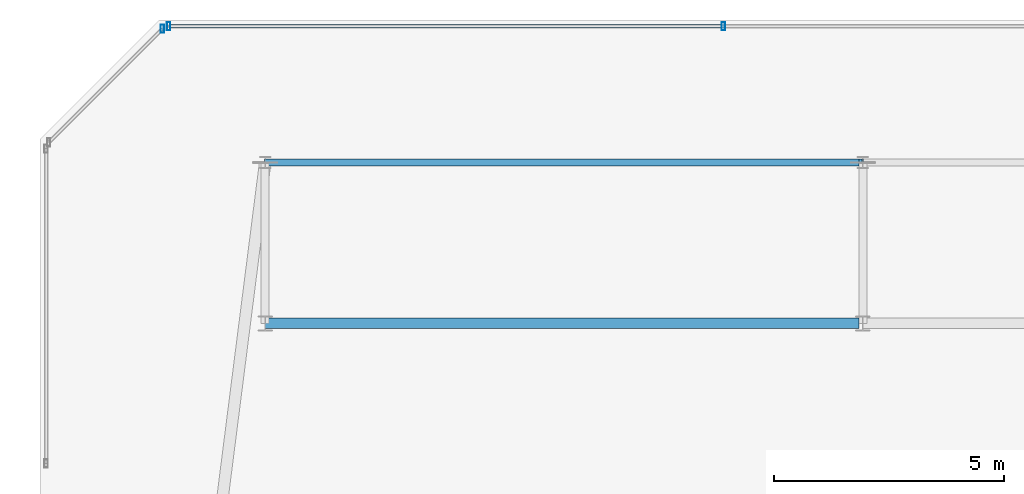
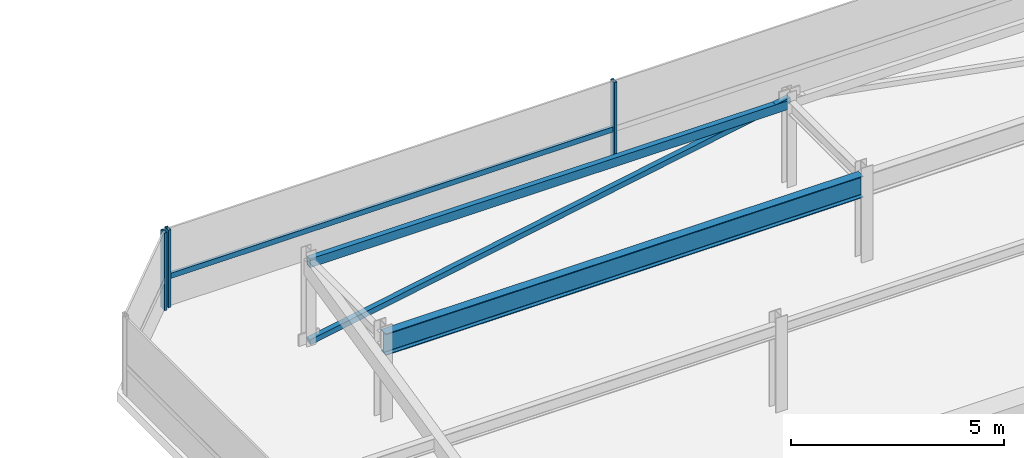
# One storey, part 35 of 44: 5 members, 2 beams, 2 elements without a shape of their own.
"""IFC4 building model written with IfcOpenShell, lengths in metres."""

import ifcopenshell
import ifcopenshell.guid

model = None  # the IFC model being written
_history = None  # IfcOwnerHistory: only IFC2X3 demands one
_inside = {}  # id of a spatial element -> (the spatial element, [elements in it])
_under = {}  # id of a project, library or spatial element -> (it, [spatial elements below it])
_declared = {}  # id of a project -> (the project, [libraries it declares])
_typed = {}  # id of a type object -> (the type object, [elements of that type])
_made_of = {}  # id of a material, layer set ... -> (it, [elements and type objects made of it])


def new_model(schema):
    """Start an empty IFC model of exactly this schema.

    Asked for "IFC4X3", IfcOpenShell would pick the latest addendum, in which some entities
    have other attributes; the version numbers below select the first issue.
    IFC2X3 requires an IfcOwnerHistory on every rooted entity: one is made here for all.
    """
    global model, _history
    if schema == "IFC4X3":
        model = ifcopenshell.file(schema_version=(4, 3, 0, 0))
    else:
        model = ifcopenshell.file(schema=schema)
    _inside.clear()
    _under.clear()
    _declared.clear()
    _typed.clear()
    _made_of.clear()
    _history = None
    if model.schema == "IFC2X3":
        org = make("IfcOrganization", Name="unknown")
        user = make(
            "IfcPersonAndOrganization",
            ThePerson=make("IfcPerson", FamilyName="unknown"),
            TheOrganization=org,
        )
        app = make(
            "IfcApplication",
            ApplicationDeveloper=org,
            Version="unknown",
            ApplicationFullName="unknown",
            ApplicationIdentifier="unknown",
        )
        _history = make(
            "IfcOwnerHistory",
            OwningUser=user,
            OwningApplication=app,
            ChangeAction="ADDED",
            CreationDate=0,
        )
    return model


def make(cls, **values):
    """One entity of the class cls with the attributes given. An attribute that is None is left unset."""
    return model.create_entity(
        cls, **{name: value for name, value in values.items() if value is not None}
    )


def rooted(cls, **values):
    """An entity with a GlobalId (a new one), such as an element, a storey or a relation."""
    return make(cls, GlobalId=ifcopenshell.guid.new(), OwnerHistory=_history, **values)


def si_unit(unit_type, name, prefix=None):
    """IfcSIUnit, for example si_unit("LENGTHUNIT", "METRE", prefix="MILLI")."""
    return make("IfcSIUnit", UnitType=unit_type, Prefix=prefix, Name=name)


def assignment(units):
    """IfcUnitAssignment: the units of a project."""
    return None if units is None else make("IfcUnitAssignment", Units=units)


def point(xyz):
    """IfcCartesianPoint."""
    return None if xyz is None else make("IfcCartesianPoint", Coordinates=xyz)


def direction(xyz):
    """IfcDirection."""
    return None if xyz is None else make("IfcDirection", DirectionRatios=xyz)


def frame(location, z_axis=None, x_axis=None):
    """IfcAxis2Placement3D, a coordinate frame: its origin and axes. An axis left out is left unset."""
    return make(
        "IfcAxis2Placement3D",
        Location=point(location),
        Axis=direction(z_axis),
        RefDirection=direction(x_axis),
    )


def frame_2d(location, x_axis=None):
    """IfcAxis2Placement2D, a coordinate frame in the plane: its origin and x axis."""
    return make(
        "IfcAxis2Placement2D", Location=point(location), RefDirection=direction(x_axis)
    )


def origin():
    """The frame at (0, 0, 0) with its axes left unset."""
    return frame((0.0, 0.0, 0.0))


def origin_2d():
    """The frame at (0, 0) in the plane with its x axis left unset."""
    return frame_2d((0.0, 0.0))


def place(relative_to, where):
    """IfcLocalPlacement: puts the frame where relative to a parent placement (None: the world)."""
    return make(
        "IfcLocalPlacement", PlacementRelTo=relative_to, RelativePlacement=where
    )


def context(
    kind, dimensions, precision=None, world=None, true_north=None, identifier=None
):
    """IfcGeometricRepresentationContext, for example the 3D "Model" context."""
    return make(
        "IfcGeometricRepresentationContext",
        ContextIdentifier=identifier,
        ContextType=kind,
        CoordinateSpaceDimension=dimensions,
        Precision=precision,
        WorldCoordinateSystem=world,
        TrueNorth=true_north,
    )


def subcontext(parent, identifier, kind, view, scale=None):
    """IfcGeometricRepresentationSubContext, for example "Body" below "Model"."""
    return make(
        "IfcGeometricRepresentationSubContext",
        ContextIdentifier=identifier,
        ContextType=kind,
        ParentContext=parent,
        TargetScale=scale,
        TargetView=view,
    )


def project(units=None, contexts=None):
    """IfcProject with its units and contexts."""
    return rooted(
        "IfcProject",
        Name="project",
        RepresentationContexts=contexts,
        UnitsInContext=assignment(units),
    )


def spatial(cls, under=None, at=None, **own):
    """A site, building, storey or space (cls), placed at a placement, below another one or the project."""
    s = rooted(cls, ObjectPlacement=at, **own)
    if under is not None:
        _under.setdefault(under.id(), (under, []))[1].append(s)
    return s


def profile(cls, at=None, kind="AREA", **sizes):
    """A parametric profile (cls). Its sizes go by their IFC names, for example OverallWidth=200.0."""
    return make(cls, ProfileType=kind, Position=at, **sizes)


def hollow_rectangle(**sizes):
    """IfcRectangleHollowProfileDef."""
    return profile("IfcRectangleHollowProfileDef", **sizes)


def i_section(**sizes):
    """IfcIShapeProfileDef."""
    return profile("IfcIShapeProfileDef", **sizes)


def extrude(swept, where, along, depth):
    """IfcExtrudedAreaSolid: the profile swept, set in the frame where, extruded along a direction by depth."""
    return make(
        "IfcExtrudedAreaSolid",
        SweptArea=swept,
        Position=where,
        ExtrudedDirection=direction(along),
        Depth=depth,
    )


def shape(context_of_items, identifier, shape_type, items):
    """IfcShapeRepresentation: the items that make up one representation, for example the "Body"."""
    return make(
        "IfcShapeRepresentation",
        ContextOfItems=context_of_items,
        RepresentationIdentifier=identifier,
        RepresentationType=shape_type,
        Items=items,
    )


def material(Name=None, Category=None):
    """IfcMaterial."""
    return make("IfcMaterial", Name=Name, Category=Category)


def material_profile(
    of_material, cross_section, Name=None, Category=None, Priority=None
):
    """IfcMaterialProfile: a cross section and its material."""
    return make(
        "IfcMaterialProfile",
        Name=Name,
        Material=of_material,
        Profile=cross_section,
        Priority=Priority,
        Category=Category,
    )


def profile_set(profiles, Name=None, composite=None):
    """IfcMaterialProfileSet."""
    return make(
        "IfcMaterialProfileSet",
        Name=Name,
        MaterialProfiles=profiles,
        CompositeProfile=composite,
    )


def made_of(thing, what):
    """Note that an element or type object is made of a material, layer set ...; save() writes the relation."""
    if what is not None:
        _made_of.setdefault(what.id(), (what, []))[1].append(thing)
    return thing


def type_object(cls, material=None, **own):
    """A type object (cls), such as IfcWallType, which elements share."""
    return made_of(rooted(cls, **own), material)


def element(
    cls,
    number,
    at=None,
    inside=None,
    cuts=None,
    type_object=None,
    material=None,
    context=None,
    identifier="Body",
    shape_type=None,
    held_by="IfcProductDefinitionShape",
    body=None,
    shapes=None,
    **own,
):
    """One element of the class cls, such as IfcWall. Its Tag is "e" and its number.

    at: its placement. inside: the storey or other place that contains it. cuts: it is an
    opening in that element (IfcRelVoidsElement). A single representation is given by context,
    identifier, shape_type and body (its items); several are given by shapes. held_by: the class
    of the entity that holds the representations. save() writes the other relations.
    """
    e = rooted(cls, Tag="e%d" % number, ObjectPlacement=at, **own)
    if body is not None:
        shapes = [shape(context, identifier, shape_type, body)]
    if shapes is not None:
        e.Representation = make(held_by, Representations=shapes)
    if inside is not None:
        _inside.setdefault(inside.id(), (inside, []))[1].append(e)
    if cuts is not None:
        rooted(
            "IfcRelVoidsElement", RelatingBuildingElement=cuts, RelatedOpeningElement=e
        )
    if type_object is not None:
        _typed.setdefault(type_object.id(), (type_object, []))[1].append(e)
    return made_of(e, material)


def aggregate(whole, parts):
    """IfcRelAggregates: a whole, such as a stair, and the parts it consists of."""
    return rooted("IfcRelAggregates", RelatingObject=whole, RelatedObjects=parts)


def save(model, path):
    """Write the relations noted so far, then the file.

    IfcRelAggregates (storeys below a building ...), IfcRelContainedInSpatialStructure (elements
    in a storey), IfcRelDefinesByType, IfcRelAssociatesMaterial and IfcRelDeclares: one each for
    every whole, place, type object, material and project.
    """
    for whole, parts in _under.values():
        aggregate(whole, parts)
    for where, things in _inside.values():
        rooted(
            "IfcRelContainedInSpatialStructure",
            RelatedElements=things,
            RelatingStructure=where,
        )
    for kind, things in _typed.values():
        rooted("IfcRelDefinesByType", RelatedObjects=things, RelatingType=kind)
    for what, things in _made_of.values():
        rooted("IfcRelAssociatesMaterial", RelatedObjects=things, RelatingMaterial=what)
    for by, libraries in _declared.values():
        rooted("IfcRelDeclares", RelatingContext=by, RelatedDefinitions=libraries)
    model.write(path)


model = new_model("IFC4")

# Units and contexts
model_context = context("Model", 3, precision=1e-05, world=origin(), true_north=direction((0.0, 1.0)))
body_context = subcontext(model_context, "Body", "Model", "MODEL_VIEW")
ifc_project = project(units=[si_unit("LENGTHUNIT", "METRE"), si_unit("AREAUNIT", "SQUARE_METRE"), si_unit("VOLUMEUNIT", "CUBIC_METRE"), si_unit("PLANEANGLEUNIT", "RADIAN"), si_unit("MASSUNIT", "GRAM", prefix="KILO")], contexts=[model_context])

# Site, building, storey
site_placement = place(None, origin())
site = spatial("IfcSite", under=ifc_project, at=site_placement, CompositionType="ELEMENT")
building_placement = place(site_placement, origin())
building = spatial("IfcBuilding", under=site, at=building_placement, Name="Thornwick Lancets Civic Towers", CompositionType="ELEMENT")
storey_placement = place(building_placement, frame((0.0, 0.0, 294.89990234375)))
storey = spatial("IfcBuildingStorey", under=building, at=storey_placement, Name="C06", CompositionType="ELEMENT", Elevation=294.89990234375)

# Beams
ifc_material_1 = material(Name="Steel S355JR", Category="steel")
ifc_material_profile_1 = material_profile(ifc_material_1, hollow_rectangle(XDim=0.14990234375, YDim=0.25, WallThickness=0.012451171875, at=origin_2d()), Name="RHS 250x150x12.5")
ifc_profile_set_1 = profile_set([ifc_material_profile_1], Name="Steel S355JR")
beam_type_1 = type_object("IfcBeamType", Name="BM_CROWN_RHS250", PredefinedType="BEAM", material=ifc_profile_set_1)
beam_1_placement = place(storey_placement, frame((88.419921875, 47.800048828125, 2.315185546875), z_axis=(-1.0, 0.0, 0.0), x_axis=(0.0, -1.0, 0.0)))
element("IfcBeam", 1, at=beam_1_placement, inside=storey, type_object=beam_type_1, Name="BM-EDGE-C06-B-S1-2", PredefinedType="BEAM", context=body_context, shape_type="SweptSolid", body=[
    extrude(hollow_rectangle(XDim=0.14990234375, YDim=0.25, WallThickness=0.012451171875, at=origin_2d()), origin(), (0.0, 0.0, 1.0), 12.919921875),
])
ifc_material_profile_2 = material_profile(ifc_material_1, i_section(OverallWidth=0.230224609375, OverallDepth=0.6171875, WebThickness=0.01318359375, FlangeThickness=0.022216796875, FilletRadius=0.0126953125, at=origin_2d()), Name="UKB 610x229x140")
ifc_profile_set_2 = profile_set([ifc_material_profile_2], Name="Steel S355JR")
beam_type_2 = type_object("IfcBeamType", Name="BM_GIRD_610_140", PredefinedType="BEAM", material=ifc_profile_set_2)
beam_2_placement = place(storey_placement, frame((88.419921875, 44.300048828125, 2.131591796875), z_axis=(-1.0, 0.0, 0.0), x_axis=(0.0, -1.0, 0.0)))
element("IfcBeam", 2, at=beam_2_placement, inside=storey, type_object=beam_type_2, Name="BM-SPINE-C06-B-4-5", PredefinedType="BEAM", context=body_context, shape_type="SweptSolid", body=[
    extrude(i_section(OverallWidth=0.230224609375, OverallDepth=0.6171875, WebThickness=0.01318359375, FlangeThickness=0.022216796875, FilletRadius=0.0126953125, at=origin_2d()), origin(), (0.0, 0.0, 1.0), 12.919921875),
])

# Curtain wall, members
ifc_material_2 = material(Name="Crown ring acoustic-louvre and glazing screen wall", Category="glass")
curtain_wall_type = type_object("IfcCurtainWallType", Name="CW_SYS_07", PredefinedType="NOTDEFINED", material=ifc_material_2)
curtain_wall_1_placement = place(storey_placement, origin())
curtain_wall_1 = element("IfcCurtainWall", 3, at=curtain_wall_1_placement, inside=storey, type_object=curtain_wall_type, Name="C06 Curtain Wall CW-C06-B-E4", PredefinedType="NOTDEFINED")
ifc_material_3 = material(Name="Thermally broken bronze aluminium S355", Category="steel")
ifc_material_profile_3 = material_profile(ifc_material_3, hollow_rectangle(XDim=0.074951171875, YDim=0.179931640625, WallThickness=0.006103515625, at=origin_2d()), Name="RHS 180x75x6")
ifc_profile_set_3 = profile_set([ifc_material_profile_3], Name="Thermally broken bronze aluminium S355")
member_type_1 = type_object("IfcMemberType", Name="CW_MUL_180", PredefinedType="MULLION", material=ifc_profile_set_3)
member_1_placement = place(storey_placement, frame((85.46630859375, 50.7646484375, 0.0), z_axis=(0.0, 0.0, 1.0), x_axis=(1.0, 0.0, 0.0)))
member_1 = element("IfcMember", 4, at=member_1_placement, type_object=member_type_1, Name="CW-C06-B-E4 Mullion 2", PredefinedType="MULLION", context=body_context, shape_type="SweptSolid", body=[
    extrude(hollow_rectangle(XDim=0.074951171875, YDim=0.179931640625, WallThickness=0.006103515625, at=origin_2d()), origin(), (0.0, 0.0, 1.0), 2.22021484375),
])
member_2_placement = place(storey_placement, frame((73.398681640625, 50.7646484375, 0.0), z_axis=(0.0, 0.0, 1.0), x_axis=(1.0, 0.0, 0.0)))
member_2 = element("IfcMember", 5, at=member_2_placement, type_object=member_type_1, Name="CW-C06-B-E4 Mullion 3", PredefinedType="MULLION", context=body_context, shape_type="SweptSolid", body=[
    extrude(hollow_rectangle(XDim=0.074951171875, YDim=0.179931640625, WallThickness=0.006103515625, at=origin_2d()), origin(), (0.0, 0.0, 1.0), 2.22021484375),
])

# Curtain wall, member
curtain_wall_2_placement = place(storey_placement, origin())
curtain_wall_2 = element("IfcCurtainWall", 6, at=curtain_wall_2_placement, inside=storey, type_object=curtain_wall_type, Name="C06 Curtain Wall CW-C06-B-E5", PredefinedType="NOTDEFINED")
member_3_placement = place(storey_placement, frame((73.261962890625, 50.7080078125, 0.0), z_axis=(0.0, 0.0, 1.0), x_axis=(1.0, 0.0, 0.0)))
member_3 = element("IfcMember", 7, at=member_3_placement, type_object=member_type_1, Name="CW-C06-B-E5 Mullion 0", PredefinedType="MULLION", context=body_context, shape_type="SweptSolid", body=[
    extrude(hollow_rectangle(XDim=0.074951171875, YDim=0.179931640625, WallThickness=0.006103515625, at=origin_2d()), origin(), (0.0, 0.0, 1.0), 2.22021484375),
])
aggregate(curtain_wall_2, [member_3])

# Member
ifc_material_profile_4 = material_profile(ifc_material_3, hollow_rectangle(XDim=0.074951171875, YDim=0.14990234375, WallThickness=0.0048828125, at=origin_2d()), Name="RHS 150x75x5")
ifc_profile_set_4 = profile_set([ifc_material_profile_4], Name="Thermally broken bronze aluminium S355")
member_type_2 = type_object("IfcMemberType", Name="CW_TRN_150", PredefinedType="USERDEFINED", material=ifc_profile_set_4)
member_4_placement = place(storey_placement, frame((85.4462890625, 50.7646484375, 0.85009765625), z_axis=(-1.0, 0.0, 0.0), x_axis=(0.0, -1.0, 0.0)))
member_4 = element("IfcMember", 8, at=member_4_placement, type_object=member_type_2, Name="CW-C06-B-E4 Transom 2", ObjectType="TRANSOM", PredefinedType="USERDEFINED", context=body_context, shape_type="SweptSolid", body=[
    extrude(hollow_rectangle(XDim=0.074951171875, YDim=0.14990234375, WallThickness=0.0048828125, at=origin_2d()), origin(), (0.0, 0.0, 1.0), 12.027587890625),
])

aggregate(curtain_wall_1, [member_1, member_2, member_4])

ifc_material_profile_5 = material_profile(ifc_material_1, hollow_rectangle(XDim=0.14990234375, YDim=0.14990234375, WallThickness=0.010009765625, at=origin_2d()), Name="SHS 150x150x10")
ifc_profile_set_5 = profile_set([ifc_material_profile_5], Name="Steel S355JR")
member_type_3 = type_object("IfcMemberType", Name="MEM_CROWN_SHS150", PredefinedType="BRACE", material=ifc_profile_set_5)
member_5_placement = place(storey_placement, frame((75.5, 47.800048828125, 0.050048828125), z_axis=(0.983515136313, 0.0, 0.180825818519), x_axis=(0.0, 1.0, 0.0)))
element("IfcMember", 9, at=member_5_placement, inside=storey, type_object=member_type_3, Name="C06 Crown Ring Lancet Rib B-S1-R", PredefinedType="BRACE", context=body_context, shape_type="SweptSolid", body=[
    extrude(hollow_rectangle(XDim=0.14990234375, YDim=0.14990234375, WallThickness=0.010009765625, at=origin_2d()), origin(), (0.0, 0.0, 1.0), 13.2177734375),
])

save(model, "model.ifc")
